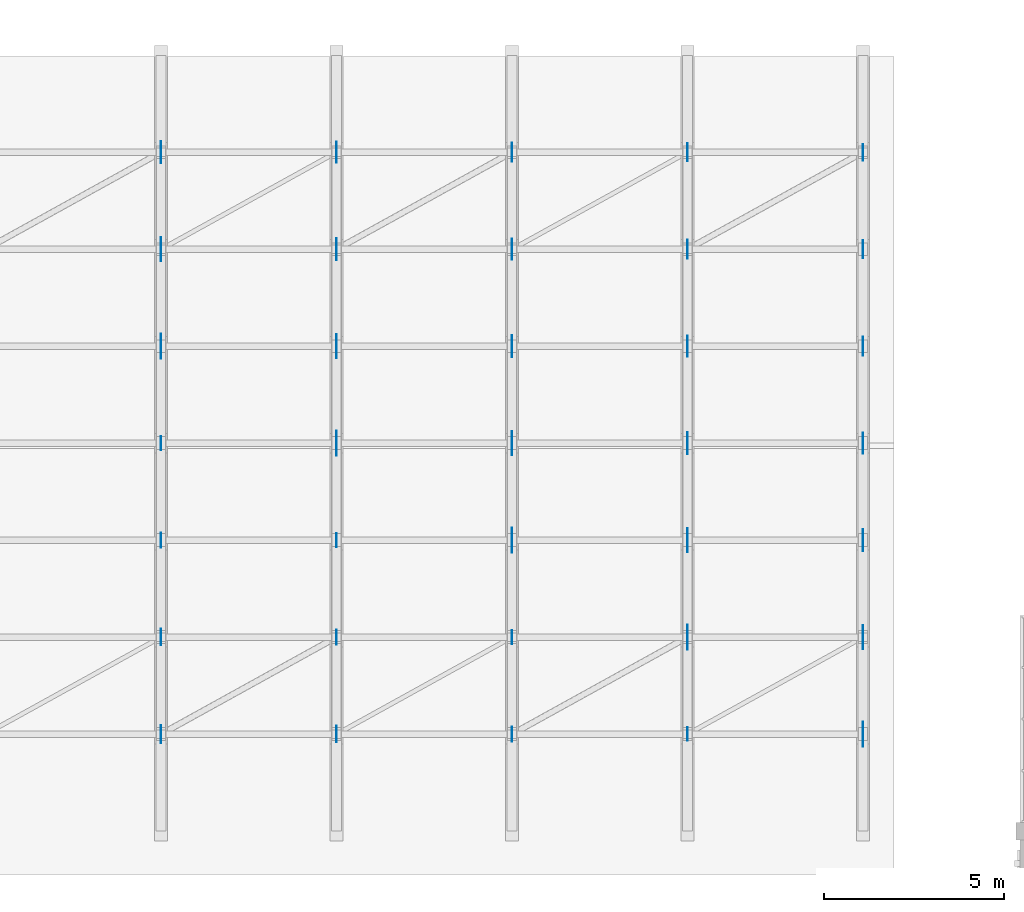
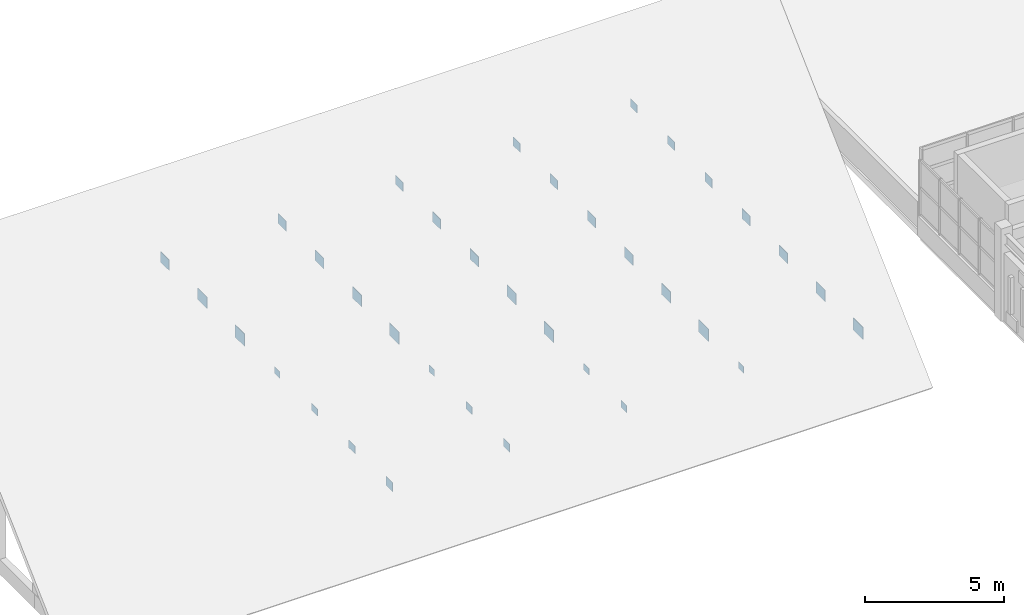
# One storey, part 44 of 79: 35 plates.
"""IFC4 building model written with IfcOpenShell, lengths in metres."""

from ifc_helpers import new_model, si_unit, direction, frame, origin, origin_2d, place, context, subcontext, project, spatial, rectangle, extrude, material, layer, layer_set, type_object, element, save


model = new_model("IFC4")

# Units and contexts
model_context = context("Model", 3, precision=1e-05, world=origin(), true_north=direction((0.0, 1.0)))
body_context = subcontext(model_context, "Body", "Model", "MODEL_VIEW")
ifc_project = project(units=[si_unit("LENGTHUNIT", "METRE"), si_unit("AREAUNIT", "SQUARE_METRE"), si_unit("VOLUMEUNIT", "CUBIC_METRE"), si_unit("PLANEANGLEUNIT", "RADIAN"), si_unit("MASSUNIT", "GRAM", prefix="KILO")], contexts=[model_context])

# Site, building, storey
site_placement = place(None, origin())
site = spatial("IfcSite", under=ifc_project, at=site_placement, CompositionType="ELEMENT")
building_placement = place(site_placement, origin())
building = spatial("IfcBuilding", under=site, at=building_placement, Name="Nzembalo Square Collegiate School", CompositionType="ELEMENT")
storey_placement = place(building_placement, frame((0.0, 0.0, 9.52001953125)))
storey = spatial("IfcBuildingStorey", under=building, at=storey_placement, Name="L02", CompositionType="ELEMENT", Elevation=9.52001953125)

# Plates
ifc_material_1 = material(Name="Steel S355", Category="steel")
ifc_layer_1 = layer(ifc_material_1, 0.02392578125, Name="Steel S355")
ifc_layer_set_1 = layer_set([ifc_layer_1], Name="Steel S355")
plate_type_1 = type_object("IfcPlateType", Name="TN01", PredefinedType="SHEET", material=ifc_layer_set_1)
for number, where, z_axis, x_axis, name in (
    (1, (106.757080078125, 96.300048828125, -0.8701171875), (0.0, 0.0, 1.0), (0.0, 1.0, 0.0), "GT-AH1-04 gusset plate TN01"),
    (2, (111.642822265625, 93.60009765625, -0.8701171875), (0.0, 0.0, 1.0), (0.0, 1.0, 0.0), "GT-AH1-05 gusset plate TN01"),
    (3, (116.528564453125, 90.89990234375, -0.8701171875), (0.0, 0.0, 1.0), (0.0, 1.0, 0.0), "GT-AH1-06 gusset plate TN01"),
    (4, (121.414306640625, 88.199951171875, -0.8701171875), (0.0, 0.0, 1.0), (0.0, 1.0, 0.0), "GT-AH1-07 gusset plate TN01"),
    (5, (126.300048828125, 85.5, -0.8701171875), (0.0, 0.0, 1.0), (0.0, 1.0, 0.0), "GT-AH1-08 gusset plate TN01"),
):
    element("IfcPlate", number, at=place(storey_placement, frame(where, z_axis=z_axis, x_axis=x_axis)), inside=storey, type_object=plate_type_1, Name=name, PredefinedType="SHEET", context=body_context, shape_type="SweptSolid", body=[
        extrude(rectangle(XDim=0.699951171875, YDim=0.02392578125, at=origin_2d()), origin(), (0.0, 0.0, 1.0), 0.5400390625),
    ])
ifc_material_2 = material(Name="Steel S355", Category="steel")
ifc_layer_2 = layer(ifc_material_2, 0.02197265625, Name="Steel S355")
ifc_layer_set_2 = layer_set([ifc_layer_2], Name="Steel S355")
plate_type_2 = type_object("IfcPlateType", Name="TN02", PredefinedType="SHEET", material=ifc_layer_set_2)
for number, where, z_axis, x_axis, name in (
    (6, (106.757080078125, 99.0, -0.85009765625), (0.0, 0.0, 1.0), (0.0, 1.0, 0.0), "GT-AH1-04 gusset plate TN02"),
    (7, (111.642822265625, 96.300048828125, -0.85009765625), (0.0, 0.0, 1.0), (0.0, 1.0, 0.0), "GT-AH1-05 gusset plate TN02"),
    (8, (116.528564453125, 93.60009765625, -0.85009765625), (0.0, 0.0, 1.0), (0.0, 1.0, 0.0), "GT-AH1-06 gusset plate TN02"),
    (9, (121.414306640625, 90.89990234375, -0.85009765625), (0.0, 0.0, 1.0), (0.0, 1.0, 0.0), "GT-AH1-07 gusset plate TN02"),
    (10, (126.300048828125, 88.199951171875, -0.85009765625), (0.0, 0.0, 1.0), (0.0, 1.0, 0.0), "GT-AH1-08 gusset plate TN02"),
):
    element("IfcPlate", number, at=place(storey_placement, frame(where, z_axis=z_axis, x_axis=x_axis)), inside=storey, type_object=plate_type_2, Name=name, PredefinedType="SHEET", context=body_context, shape_type="SweptSolid", body=[
        extrude(rectangle(XDim=0.659912109375, YDim=0.02197265625, at=origin_2d()), origin(), (0.0, 0.0, 1.0), 0.5),
    ])
ifc_material_3 = material(Name="Steel S355", Category="steel")
ifc_layer_3 = layer(ifc_material_3, 0.02001953125, Name="Steel S355")
ifc_layer_set_3 = layer_set([ifc_layer_3], Name="Steel S355")
plate_type_3 = type_object("IfcPlateType", Name="TN03", PredefinedType="SHEET", material=ifc_layer_set_3)
for number, where, z_axis, x_axis, name in (
    (11, (106.757080078125, 101.699951171875, -0.830078125), (0.0, 0.0, 1.0), (0.0, 1.0, 0.0), "GT-AH1-04 gusset plate TN03"),
    (12, (111.642822265625, 99.0, -0.830078125), (0.0, 0.0, 1.0), (0.0, 1.0, 0.0), "GT-AH1-05 gusset plate TN03"),
    (13, (116.528564453125, 96.300048828125, -0.830078125), (0.0, 0.0, 1.0), (0.0, 1.0, 0.0), "GT-AH1-06 gusset plate TN03"),
    (14, (121.414306640625, 93.60009765625, -0.830078125), (0.0, 0.0, 1.0), (0.0, 1.0, 0.0), "GT-AH1-07 gusset plate TN03"),
    (15, (126.300048828125, 90.89990234375, -0.830078125), (0.0, 0.0, 1.0), (0.0, 1.0, 0.0), "GT-AH1-08 gusset plate TN03"),
):
    element("IfcPlate", number, at=place(storey_placement, frame(where, z_axis=z_axis, x_axis=x_axis)), inside=storey, type_object=plate_type_3, Name=name, PredefinedType="SHEET", context=body_context, shape_type="SweptSolid", body=[
        extrude(rectangle(XDim=0.6201171875, YDim=0.02001953125, at=origin_2d()), origin(), (0.0, 0.0, 1.0), 0.4599609375),
    ])
ifc_material_4 = material(Name="Steel S355", Category="steel")
ifc_layer_4 = layer(ifc_material_4, 0.02001953125, Name="Steel S355")
ifc_layer_set_4 = layer_set([ifc_layer_4], Name="Steel S355")
plate_type_4 = type_object("IfcPlateType", Name="TN04", PredefinedType="SHEET", material=ifc_layer_set_4)
for number, where, z_axis, x_axis, name in (
    (16, (111.642822265625, 101.699951171875, -0.820068359375), (0.0, 0.0, 1.0), (0.0, 1.0, 0.0), "GT-AH1-05 gusset plate TN04"),
    (17, (116.528564453125, 99.0, -0.820068359375), (0.0, 0.0, 1.0), (0.0, 1.0, 0.0), "GT-AH1-06 gusset plate TN04"),
    (18, (121.414306640625, 96.300048828125, -0.820068359375), (0.0, 0.0, 1.0), (0.0, 1.0, 0.0), "GT-AH1-07 gusset plate TN04"),
    (19, (126.300048828125, 93.60009765625, -0.820068359375), (0.0, 0.0, 1.0), (0.0, 1.0, 0.0), "GT-AH1-08 gusset plate TN04"),
):
    element("IfcPlate", number, at=place(storey_placement, frame(where, z_axis=z_axis, x_axis=x_axis)), inside=storey, type_object=plate_type_4, Name=name, PredefinedType="SHEET", context=body_context, shape_type="SweptSolid", body=[
        extrude(rectangle(XDim=0.580078125, YDim=0.02001953125, at=origin_2d()), origin(), (0.0, 0.0, 1.0), 0.43994140625),
    ])
ifc_material_5 = material(Name="Steel S355", Category="steel")
ifc_layer_5 = layer(ifc_material_5, 0.01806640625, Name="Steel S355")
ifc_layer_set_5 = layer_set([ifc_layer_5], Name="Steel S355")
plate_type_5 = type_object("IfcPlateType", Name="TN05", PredefinedType="SHEET", material=ifc_layer_set_5)
for number, where, z_axis, x_axis, name in (
    (20, (116.528564453125, 101.699951171875, -0.800048828125), (0.0, 0.0, 1.0), (0.0, 1.0, 0.0), "GT-AH1-06 gusset plate TN05"),
    (21, (121.414306640625, 99.0, -0.800048828125), (0.0, 0.0, 1.0), (0.0, 1.0, 0.0), "GT-AH1-07 gusset plate TN05"),
    (22, (126.300048828125, 96.300048828125, -0.800048828125), (0.0, 0.0, 1.0), (0.0, 1.0, 0.0), "GT-AH1-08 gusset plate TN05"),
):
    element("IfcPlate", number, at=place(storey_placement, frame(where, z_axis=z_axis, x_axis=x_axis)), inside=storey, type_object=plate_type_5, Name=name, PredefinedType="SHEET", context=body_context, shape_type="SweptSolid", body=[
        extrude(rectangle(XDim=0.5400390625, YDim=0.01806640625, at=origin_2d()), origin(), (0.0, 0.0, 1.0), 0.39990234375),
    ])
ifc_material_6 = material(Name="Steel S355", Category="steel")
ifc_layer_6 = layer(ifc_material_6, 0.01611328125, Name="Steel S355")
ifc_layer_set_6 = layer_set([ifc_layer_6], Name="Steel S355")
plate_type_6 = type_object("IfcPlateType", Name="TN06", PredefinedType="SHEET", material=ifc_layer_set_6)
for number, where, z_axis, x_axis, name in (
    (23, (106.757080078125, 85.5, -0.7900390625), (0.0, 0.0, 1.0), (0.0, 1.0, 0.0), "GT-AH1-04 gusset plate TN06"),
    (24, (121.414306640625, 101.699951171875, -0.7900390625), (0.0, 0.0, 1.0), (0.0, 1.0, 0.0), "GT-AH1-07 gusset plate TN06"),
    (25, (126.300048828125, 99.0, -0.7900390625), (0.0, 0.0, 1.0), (0.0, 1.0, 0.0), "GT-AH1-08 gusset plate TN06"),
):
    element("IfcPlate", number, at=place(storey_placement, frame(where, z_axis=z_axis, x_axis=x_axis)), inside=storey, type_object=plate_type_6, Name=name, PredefinedType="SHEET", context=body_context, shape_type="SweptSolid", body=[
        extrude(rectangle(XDim=0.5, YDim=0.01611328125, at=origin_2d()), origin(), (0.0, 0.0, 1.0), 0.3798828125),
    ])
ifc_material_7 = material(Name="Steel S355", Category="steel")
ifc_layer_7 = layer(ifc_material_7, 0.01611328125, Name="Steel S355")
ifc_layer_set_7 = layer_set([ifc_layer_7], Name="Steel S355")
plate_type_7 = type_object("IfcPlateType", Name="TN07", PredefinedType="SHEET", material=ifc_layer_set_7)
for number, where, z_axis, x_axis, name in (
    (26, (106.757080078125, 88.199951171875, -0.775146484375), (0.0, 0.0, 1.0), (0.0, 1.0, 0.0), "GT-AH1-04 gusset plate TN07"),
    (27, (111.642822265625, 85.5, -0.775146484375), (0.0, 0.0, 1.0), (0.0, 1.0, 0.0), "GT-AH1-05 gusset plate TN07"),
    (28, (126.300048828125, 101.699951171875, -0.775146484375), (0.0, 0.0, 1.0), (0.0, 1.0, 0.0), "GT-AH1-08 gusset plate TN07"),
):
    element("IfcPlate", number, at=place(storey_placement, frame(where, z_axis=z_axis, x_axis=x_axis)), inside=storey, type_object=plate_type_7, Name=name, PredefinedType="SHEET", context=body_context, shape_type="SweptSolid", body=[
        extrude(rectangle(XDim=0.4599609375, YDim=0.01611328125, at=origin_2d()), origin(), (0.0, 0.0, 1.0), 0.35009765625),
    ])
ifc_material_8 = material(Name="Steel S355", Category="steel")
ifc_layer_8 = layer(ifc_material_8, 0.013916015625, Name="Steel S355")
ifc_layer_set_8 = layer_set([ifc_layer_8], Name="Steel S355")
plate_type_8 = type_object("IfcPlateType", Name="TN08", PredefinedType="SHEET", material=ifc_layer_set_8)
for number, where, z_axis, x_axis, name in (
    (29, (106.757080078125, 90.89990234375, -0.76025390625), (0.0, 0.0, 1.0), (0.0, 1.0, 0.0), "GT-AH1-04 gusset plate TN08"),
    (30, (111.642822265625, 88.199951171875, -0.76025390625), (0.0, 0.0, 1.0), (0.0, 1.0, 0.0), "GT-AH1-05 gusset plate TN08"),
    (31, (116.528564453125, 85.5, -0.76025390625), (0.0, 0.0, 1.0), (0.0, 1.0, 0.0), "GT-AH1-06 gusset plate TN08"),
):
    element("IfcPlate", number, at=place(storey_placement, frame(where, z_axis=z_axis, x_axis=x_axis)), inside=storey, type_object=plate_type_8, Name=name, PredefinedType="SHEET", context=body_context, shape_type="SweptSolid", body=[
        extrude(rectangle(XDim=0.419921875, YDim=0.013916015625, at=origin_2d()), origin(), (0.0, 0.0, 1.0), 0.320068359375),
    ])
ifc_material_9 = material(Name="Steel S355", Category="steel")
ifc_layer_9 = layer(ifc_material_9, 0.013916015625, Name="Steel S355")
ifc_layer_set_9 = layer_set([ifc_layer_9], Name="Steel S355")
plate_type_9 = type_object("IfcPlateType", Name="TN09", PredefinedType="SHEET", material=ifc_layer_set_9)
for number, where, z_axis, x_axis, name in (
    (32, (106.757080078125, 93.60009765625, -0.7451171875), (0.0, 0.0, 1.0), (0.0, 1.0, 0.0), "GT-AH1-04 gusset plate TN09"),
    (33, (111.642822265625, 90.89990234375, -0.7451171875), (0.0, 0.0, 1.0), (0.0, 1.0, 0.0), "GT-AH1-05 gusset plate TN09"),
    (34, (116.528564453125, 88.199951171875, -0.7451171875), (0.0, 0.0, 1.0), (0.0, 1.0, 0.0), "GT-AH1-06 gusset plate TN09"),
    (35, (121.414306640625, 85.5, -0.7451171875), (0.0, 0.0, 1.0), (0.0, 1.0, 0.0), "GT-AH1-07 gusset plate TN09"),
):
    element("IfcPlate", number, at=place(storey_placement, frame(where, z_axis=z_axis, x_axis=x_axis)), inside=storey, type_object=plate_type_9, Name=name, PredefinedType="SHEET", context=body_context, shape_type="SweptSolid", body=[
        extrude(rectangle(XDim=0.3798828125, YDim=0.013916015625, at=origin_2d()), origin(), (0.0, 0.0, 1.0), 0.2900390625),
    ])

save(model, "model.ifc")
